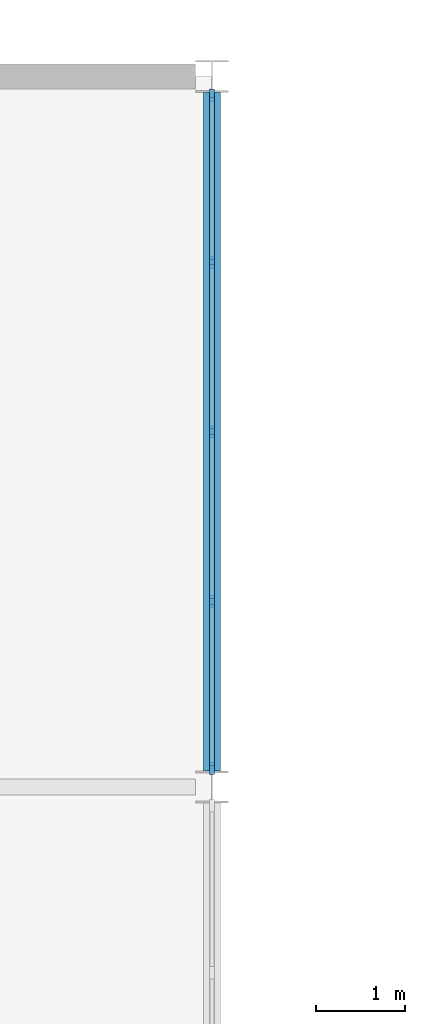
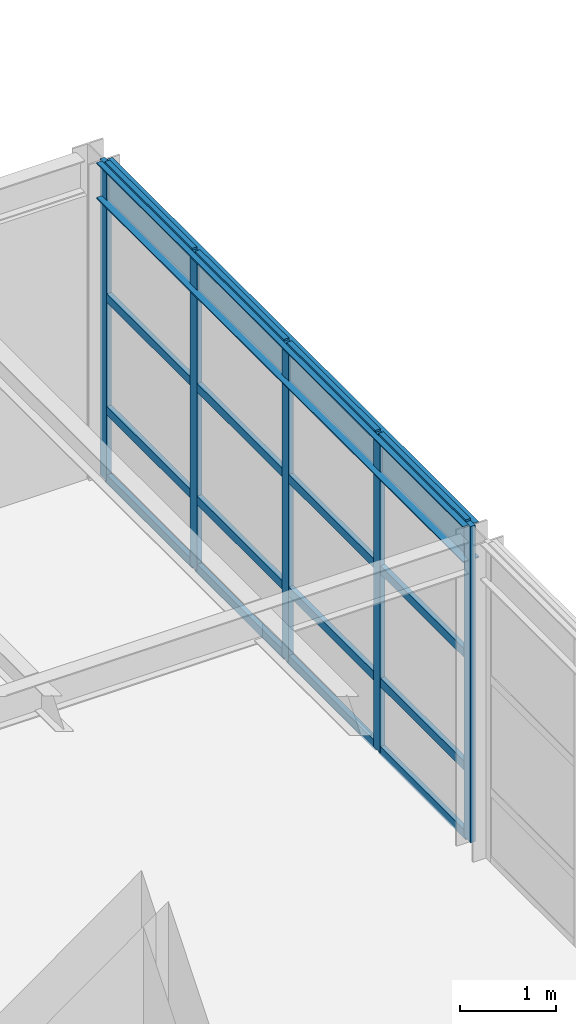
# One storey, part 16 of 34: 21 members, 1 beam, 1 element without a shape of its own.
"""IFC4 building model written with IfcOpenShell, lengths in metres."""

from ifc_helpers import new_model, si_unit, direction, frame, origin, origin_2d, place, context, subcontext, project, spatial, rectangle, i_section, extrude, material, layer, layer_set, material_profile, profile_set, type_object, element, aggregate, save


model = new_model("IFC4")

# Units and contexts
model_context = context("Model", 3, precision=1e-05, world=origin(), true_north=direction((0.0, 1.0)))
body_context = subcontext(model_context, "Body", "Model", "MODEL_VIEW")
ifc_project = project(units=[si_unit("LENGTHUNIT", "METRE"), si_unit("AREAUNIT", "SQUARE_METRE"), si_unit("VOLUMEUNIT", "CUBIC_METRE"), si_unit("PLANEANGLEUNIT", "RADIAN"), si_unit("MASSUNIT", "GRAM", prefix="KILO")], contexts=[model_context])

# Site, building, storey
site_placement = place(None, origin())
site = spatial("IfcSite", under=ifc_project, at=site_placement, CompositionType="ELEMENT")
building_placement = place(site_placement, origin())
building = spatial("IfcBuilding", under=site, at=building_placement, Name="Varnela Railside Interchange", CompositionType="ELEMENT")
storey_placement = place(building_placement, frame((0.0, 0.0, 19.60009765625)))
storey = spatial("IfcBuildingStorey", under=building, at=storey_placement, Name="L04", CompositionType="ELEMENT", Elevation=19.60009765625)

# Curtain wall, members
ifc_material_1 = material(Name="Aluminium 6063-T6", Category="aluminium")
ifc_layer = layer(ifc_material_1, 0.035888671875)
ifc_layer_set = layer_set([ifc_layer], Name="Aluminium 6063-T6")
curtain_wall_type = type_object("IfcCurtainWallType", Name="Operations Wing Facade Curtain Wall CW-03", PredefinedType="USERDEFINED", material=ifc_layer_set)
curtain_wall_placement = place(storey_placement, origin())
curtain_wall = element("IfcCurtainWall", 1, at=curtain_wall_placement, inside=storey, type_object=curtain_wall_type, Name="Curtain Wall CW-03 (L04) (CW-109)", ObjectType="CURTAIN WALL", PredefinedType="USERDEFINED")
ifc_material_profile_1 = material_profile(ifc_material_1, rectangle(XDim=0.06005859375, YDim=0.139892578125, at=origin_2d()), Name="ALU 60x140")
ifc_profile_set_1 = profile_set([ifc_material_profile_1], Name="Aluminium 6063-T6")
member_type_1 = type_object("IfcMemberType", Name="Curtain Wall Mullion ML-01", PredefinedType="MULLION", material=ifc_profile_set_1)
member_1_placement = place(storey_placement, frame((52.0, 93.7900390625, 0.0), z_axis=(0.0, 0.0, 1.0), x_axis=(1.0, 0.0, 0.0)))
member_1 = element("IfcMember", 2, at=member_1_placement, type_object=member_type_1, Name="CW-03 mullion 1", PredefinedType="MULLION", context=body_context, shape_type="SweptSolid", body=[
    extrude(rectangle(XDim=0.06005859375, YDim=0.139892578125, at=origin_2d()), origin(), (0.0, 0.0, 1.0), 4.02001953125),
])
member_2_placement = place(storey_placement, frame((52.0, 91.909912109375, 0.0), z_axis=(0.0, 0.0, 1.0), x_axis=(1.0, 0.0, 0.0)))
member_2 = element("IfcMember", 3, at=member_2_placement, type_object=member_type_1, Name="CW-03 mullion 2", PredefinedType="MULLION", context=body_context, shape_type="SweptSolid", body=[
    extrude(rectangle(XDim=0.06005859375, YDim=0.139892578125, at=origin_2d()), origin(), (0.0, 0.0, 1.0), 4.02001953125),
])
member_3_placement = place(storey_placement, frame((52.0, 90.0, 0.0), z_axis=(0.0, 0.0, 1.0), x_axis=(1.0, 0.0, 0.0)))
member_3 = element("IfcMember", 4, at=member_3_placement, type_object=member_type_1, Name="CW-03 mullion 3", PredefinedType="MULLION", context=body_context, shape_type="SweptSolid", body=[
    extrude(rectangle(XDim=0.06005859375, YDim=0.139892578125, at=origin_2d()), origin(), (0.0, 0.0, 1.0), 4.02001953125),
])
member_4_placement = place(storey_placement, frame((52.0, 88.090087890625, 0.0), z_axis=(0.0, 0.0, 1.0), x_axis=(1.0, 0.0, 0.0)))
member_4 = element("IfcMember", 5, at=member_4_placement, type_object=member_type_1, Name="CW-03 mullion 4", PredefinedType="MULLION", context=body_context, shape_type="SweptSolid", body=[
    extrude(rectangle(XDim=0.06005859375, YDim=0.139892578125, at=origin_2d()), origin(), (0.0, 0.0, 1.0), 4.02001953125),
])
member_5_placement = place(storey_placement, frame((52.0, 86.2099609375, 0.0), z_axis=(0.0, 0.0, 1.0), x_axis=(1.0, 0.0, 0.0)))
member_5 = element("IfcMember", 6, at=member_5_placement, type_object=member_type_1, Name="CW-03 mullion 5", PredefinedType="MULLION", context=body_context, shape_type="SweptSolid", body=[
    extrude(rectangle(XDim=0.06005859375, YDim=0.139892578125, at=origin_2d()), origin(), (0.0, 0.0, 1.0), 4.02001953125),
])
ifc_material_profile_2 = material_profile(ifc_material_1, rectangle(XDim=0.06005859375, YDim=0.110107421875, at=origin_2d()), Name="ALU 60x110")
ifc_profile_set_2 = profile_set([ifc_material_profile_2], Name="Aluminium 6063-T6")
member_type_2 = type_object("IfcMemberType", Name="Curtain Wall Transom TR-01", PredefinedType="USERDEFINED", material=ifc_profile_set_2)
member_6_placement = place(storey_placement, frame((52.0, 93.760009765625, 0.02978515625), z_axis=(0.0, -1.0, 0.0), x_axis=(1.0, 0.0, 0.0)))
member_6 = element("IfcMember", 7, at=member_6_placement, type_object=member_type_2, Name="CW-03 transom 1.1", ObjectType="TRANSOM", PredefinedType="USERDEFINED", context=body_context, shape_type="SweptSolid", body=[
    extrude(rectangle(XDim=0.06005859375, YDim=0.110107421875, at=origin_2d()), origin(), (0.0, 0.0, 1.0), 1.820068359375),
])
member_7_placement = place(storey_placement, frame((52.0, 93.760009765625, 0.89990234375), z_axis=(0.0, -1.0, 0.0), x_axis=(1.0, 0.0, 0.0)))
member_7 = element("IfcMember", 8, at=member_7_placement, type_object=member_type_2, Name="CW-03 transom 1.2", ObjectType="TRANSOM", PredefinedType="USERDEFINED", context=body_context, shape_type="SweptSolid", body=[
    extrude(rectangle(XDim=0.06005859375, YDim=0.110107421875, at=origin_2d()), origin(), (0.0, 0.0, 1.0), 1.820068359375),
])
member_8_placement = place(storey_placement, frame((52.0, 93.760009765625, 2.33154296875), z_axis=(0.0, -1.0, 0.0), x_axis=(1.0, 0.0, 0.0)))
member_8 = element("IfcMember", 9, at=member_8_placement, type_object=member_type_2, Name="CW-03 transom 1.3", ObjectType="TRANSOM", PredefinedType="USERDEFINED", context=body_context, shape_type="SweptSolid", body=[
    extrude(rectangle(XDim=0.06005859375, YDim=0.110107421875, at=origin_2d()), origin(), (0.0, 0.0, 1.0), 1.820068359375),
])
member_9_placement = place(storey_placement, frame((52.0, 93.760009765625, 3.989990234375), z_axis=(0.0, -1.0, 0.0), x_axis=(1.0, 0.0, 0.0)))
member_9 = element("IfcMember", 10, at=member_9_placement, type_object=member_type_2, Name="CW-03 transom 1.4", ObjectType="TRANSOM", PredefinedType="USERDEFINED", context=body_context, shape_type="SweptSolid", body=[
    extrude(rectangle(XDim=0.06005859375, YDim=0.110107421875, at=origin_2d()), origin(), (0.0, 0.0, 1.0), 1.820068359375),
])
member_10_placement = place(storey_placement, frame((52.0, 91.8798828125, 0.02978515625), z_axis=(0.0, -1.0, 0.0), x_axis=(1.0, 0.0, 0.0)))
member_10 = element("IfcMember", 11, at=member_10_placement, type_object=member_type_2, Name="CW-03 transom 2.1", ObjectType="TRANSOM", PredefinedType="USERDEFINED", context=body_context, shape_type="SweptSolid", body=[
    extrude(rectangle(XDim=0.06005859375, YDim=0.110107421875, at=origin_2d()), origin(), (0.0, 0.0, 1.0), 1.849853515625),
])
member_11_placement = place(storey_placement, frame((52.0, 91.8798828125, 0.89990234375), z_axis=(0.0, -1.0, 0.0), x_axis=(1.0, 0.0, 0.0)))
member_11 = element("IfcMember", 12, at=member_11_placement, type_object=member_type_2, Name="CW-03 transom 2.2", ObjectType="TRANSOM", PredefinedType="USERDEFINED", context=body_context, shape_type="SweptSolid", body=[
    extrude(rectangle(XDim=0.06005859375, YDim=0.110107421875, at=origin_2d()), origin(), (0.0, 0.0, 1.0), 1.849853515625),
])
member_12_placement = place(storey_placement, frame((52.0, 91.8798828125, 2.33154296875), z_axis=(0.0, -1.0, 0.0), x_axis=(1.0, 0.0, 0.0)))
member_12 = element("IfcMember", 13, at=member_12_placement, type_object=member_type_2, Name="CW-03 transom 2.3", ObjectType="TRANSOM", PredefinedType="USERDEFINED", context=body_context, shape_type="SweptSolid", body=[
    extrude(rectangle(XDim=0.06005859375, YDim=0.110107421875, at=origin_2d()), origin(), (0.0, 0.0, 1.0), 1.849853515625),
])
member_13_placement = place(storey_placement, frame((52.0, 91.8798828125, 3.989990234375), z_axis=(0.0, -1.0, 0.0), x_axis=(1.0, 0.0, 0.0)))
member_13 = element("IfcMember", 14, at=member_13_placement, type_object=member_type_2, Name="CW-03 transom 2.4", ObjectType="TRANSOM", PredefinedType="USERDEFINED", context=body_context, shape_type="SweptSolid", body=[
    extrude(rectangle(XDim=0.06005859375, YDim=0.110107421875, at=origin_2d()), origin(), (0.0, 0.0, 1.0), 1.849853515625),
])
member_14_placement = place(storey_placement, frame((52.0, 89.969970703125, 0.02978515625), z_axis=(0.0, -1.0, 0.0), x_axis=(1.0, 0.0, 0.0)))
member_14 = element("IfcMember", 15, at=member_14_placement, type_object=member_type_2, Name="CW-03 transom 3.1", ObjectType="TRANSOM", PredefinedType="USERDEFINED", context=body_context, shape_type="SweptSolid", body=[
    extrude(rectangle(XDim=0.06005859375, YDim=0.110107421875, at=origin_2d()), origin(), (0.0, 0.0, 1.0), 1.849853515625),
])
member_15_placement = place(storey_placement, frame((52.0, 89.969970703125, 0.89990234375), z_axis=(0.0, -1.0, 0.0), x_axis=(1.0, 0.0, 0.0)))
member_15 = element("IfcMember", 16, at=member_15_placement, type_object=member_type_2, Name="CW-03 transom 3.2", ObjectType="TRANSOM", PredefinedType="USERDEFINED", context=body_context, shape_type="SweptSolid", body=[
    extrude(rectangle(XDim=0.06005859375, YDim=0.110107421875, at=origin_2d()), origin(), (0.0, 0.0, 1.0), 1.849853515625),
])
member_16_placement = place(storey_placement, frame((52.0, 89.969970703125, 2.33154296875), z_axis=(0.0, -1.0, 0.0), x_axis=(1.0, 0.0, 0.0)))
member_16 = element("IfcMember", 17, at=member_16_placement, type_object=member_type_2, Name="CW-03 transom 3.3", ObjectType="TRANSOM", PredefinedType="USERDEFINED", context=body_context, shape_type="SweptSolid", body=[
    extrude(rectangle(XDim=0.06005859375, YDim=0.110107421875, at=origin_2d()), origin(), (0.0, 0.0, 1.0), 1.849853515625),
])
member_17_placement = place(storey_placement, frame((52.0, 89.969970703125, 3.989990234375), z_axis=(0.0, -1.0, 0.0), x_axis=(1.0, 0.0, 0.0)))
member_17 = element("IfcMember", 18, at=member_17_placement, type_object=member_type_2, Name="CW-03 transom 3.4", ObjectType="TRANSOM", PredefinedType="USERDEFINED", context=body_context, shape_type="SweptSolid", body=[
    extrude(rectangle(XDim=0.06005859375, YDim=0.110107421875, at=origin_2d()), origin(), (0.0, 0.0, 1.0), 1.849853515625),
])
member_18_placement = place(storey_placement, frame((52.0, 88.06005859375, 0.02978515625), z_axis=(0.0, -1.0, 0.0), x_axis=(1.0, 0.0, 0.0)))
member_18 = element("IfcMember", 19, at=member_18_placement, type_object=member_type_2, Name="CW-03 transom 4.1", ObjectType="TRANSOM", PredefinedType="USERDEFINED", context=body_context, shape_type="SweptSolid", body=[
    extrude(rectangle(XDim=0.06005859375, YDim=0.110107421875, at=origin_2d()), origin(), (0.0, 0.0, 1.0), 1.820068359375),
])
member_19_placement = place(storey_placement, frame((52.0, 88.06005859375, 0.89990234375), z_axis=(0.0, -1.0, 0.0), x_axis=(1.0, 0.0, 0.0)))
member_19 = element("IfcMember", 20, at=member_19_placement, type_object=member_type_2, Name="CW-03 transom 4.2", ObjectType="TRANSOM", PredefinedType="USERDEFINED", context=body_context, shape_type="SweptSolid", body=[
    extrude(rectangle(XDim=0.06005859375, YDim=0.110107421875, at=origin_2d()), origin(), (0.0, 0.0, 1.0), 1.820068359375),
])
member_20_placement = place(storey_placement, frame((52.0, 88.06005859375, 2.33154296875), z_axis=(0.0, -1.0, 0.0), x_axis=(1.0, 0.0, 0.0)))
member_20 = element("IfcMember", 21, at=member_20_placement, type_object=member_type_2, Name="CW-03 transom 4.3", ObjectType="TRANSOM", PredefinedType="USERDEFINED", context=body_context, shape_type="SweptSolid", body=[
    extrude(rectangle(XDim=0.06005859375, YDim=0.110107421875, at=origin_2d()), origin(), (0.0, 0.0, 1.0), 1.820068359375),
])
member_21_placement = place(storey_placement, frame((52.0, 88.06005859375, 3.989990234375), z_axis=(0.0, -1.0, 0.0), x_axis=(1.0, 0.0, 0.0)))
member_21 = element("IfcMember", 22, at=member_21_placement, type_object=member_type_2, Name="CW-03 transom 4.4", ObjectType="TRANSOM", PredefinedType="USERDEFINED", context=body_context, shape_type="SweptSolid", body=[
    extrude(rectangle(XDim=0.06005859375, YDim=0.110107421875, at=origin_2d()), origin(), (0.0, 0.0, 1.0), 1.820068359375),
])
aggregate(curtain_wall, [member_1, member_2, member_3, member_4, member_5, member_6, member_7, member_8, member_9, member_10, member_11, member_12, member_13, member_14, member_15, member_16, member_17, member_18, member_19, member_20, member_21])

# Beam
ifc_material_2 = material(Name="Steel AR 350 (350 MPa)", Category="steel")
ifc_material_profile_3 = material_profile(ifc_material_2, i_section(OverallWidth=0.19091796875, OverallDepth=0.4599609375, WebThickness=0.010009765625, FlangeThickness=0.01611328125, at=origin_2d()), Name="W460x82")
ifc_profile_set_3 = profile_set([ifc_material_profile_3], Name="Steel AR 350 (350 MPa)")
beam_type = type_object("IfcBeamType", Name="Steel Perimeter Spandrel SP-01", PredefinedType="SPANDREL", material=ifc_profile_set_3)
beam_placement = place(storey_placement, frame((52.0, 86.179931640625, 3.789794921875), z_axis=(0.0, 1.0, 0.0), x_axis=(-1.0, 0.0, 0.0)))
element("IfcBeam", 23, at=beam_placement, inside=storey, type_object=beam_type, Name="Steel Perimeter Spandrel SP-01 (L04) (BM-2530)", PredefinedType="SPANDREL", context=body_context, shape_type="SweptSolid", body=[
    extrude(i_section(OverallWidth=0.19091796875, OverallDepth=0.4599609375, WebThickness=0.010009765625, FlangeThickness=0.01611328125, at=origin_2d()), origin(), (0.0, 0.0, 1.0), 7.64013671875),
])

save(model, "model.ifc")
